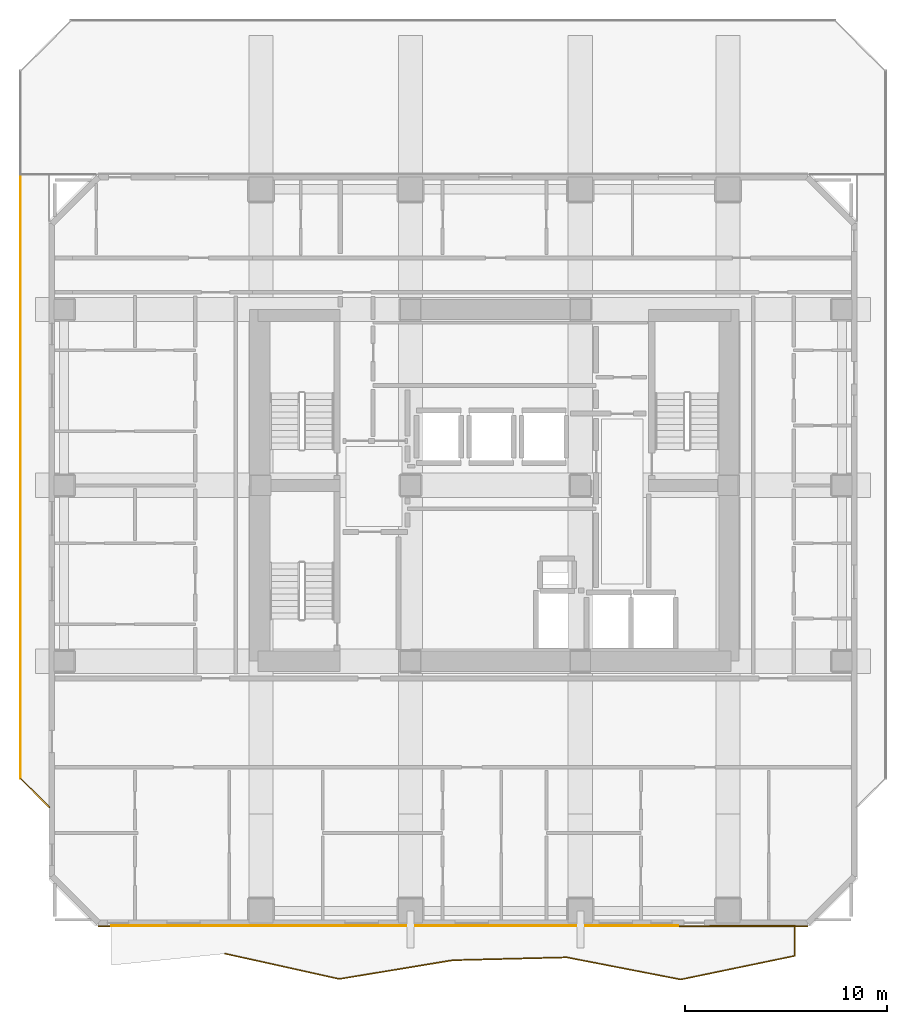
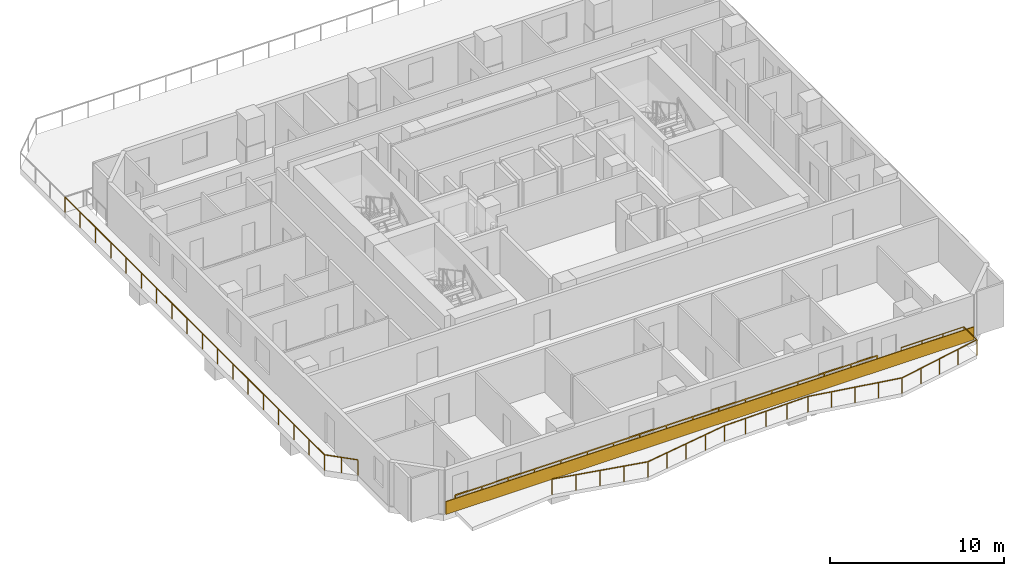
# One storey, part 8 of 11: 4 railings, 1 covering.
"""IFC4 building model written with IfcOpenShell, lengths in metres."""

from ifc_helpers import new_model, si_unit, direction, frame, frame_2d, origin, origin_2d, place, context, subcontext, project, spatial, rectangle, extrude, material, layer, layer_set, type_object, element, save


model = new_model("IFC4")

# Units and contexts
model_context = context("Model", 3, precision=1e-05, world=origin(), true_north=direction((0.0, 1.0)))
body_context = subcontext(model_context, "Body", "Model", "MODEL_VIEW")
ifc_project = project(units=[si_unit("LENGTHUNIT", "METRE"), si_unit("AREAUNIT", "SQUARE_METRE"), si_unit("VOLUMEUNIT", "CUBIC_METRE"), si_unit("PLANEANGLEUNIT", "RADIAN"), si_unit("MASSUNIT", "GRAM", prefix="KILO")], contexts=[model_context])

# Site, building, storey
site_placement = place(None, origin())
site = spatial("IfcSite", under=ifc_project, at=site_placement, CompositionType="ELEMENT")
building_placement = place(site_placement, origin())
building = spatial("IfcBuilding", under=site, at=building_placement, Name="Solanera Arch Residences", CompositionType="ELEMENT")
storey_placement = place(building_placement, frame((0.0, 0.0, 106.080078125)))
storey = spatial("IfcBuildingStorey", under=building, at=storey_placement, Name="L30", CompositionType="ELEMENT", Elevation=106.080078125)

# Railings
ifc_material_1 = material(Name="Steel S355 (ASTM A992 / A572 Grade 50)", Category="steel")
railing_type = type_object("IfcRailingType", Name="Balustrade Railing BL-1100", PredefinedType="BALUSTRADE", material=ifc_material_1)
railing_1_placement = place(storey_placement, frame((11.633056640625, 7.529052734375, 0.0)))
element("IfcRailing", 1, at=railing_1_placement, inside=storey, type_object=railing_type, Name="L30 S Balcony Balustrade 1", PredefinedType="BALUSTRADE", context=body_context, shape_type="SweptSolid", body=[
    extrude(rectangle(XDim=0.048095703125, YDim=0.048095703125, at=origin_2d()), frame((0.0, 0.0, 1.09619140625), z_axis=(0.976260663487, -0.216598977209, 0.0), x_axis=(0.216598977209, 0.976260663487, 0.0)), (0.0, 0.0, 1.0), 5.77099609375),
    extrude(rectangle(XDim=0.048095703125, YDim=0.048095703125, at=origin_2d()), frame((5.634033203125, -1.25, 1.09619140625), z_axis=(0.98672707657, 0.16238742674, 0.0), x_axis=(-0.16238742674, 0.98672707657, 0.0)), (0.0, 0.0, 1.0), 5.70849609375),
    extrude(rectangle(XDim=0.048095703125, YDim=0.048095703125, at=origin_2d()), frame((11.266845703125, -0.322998046875, 1.09619140625), z_axis=(0.999687456941, 0.024999768676, 0.0), x_axis=(-0.024999768676, 0.999687456941, 0.0)), (0.0, 0.0, 1.0), 5.634765625),
    extrude(rectangle(XDim=0.048095703125, YDim=0.048095703125, at=origin_2d()), frame((16.89990234375, -0.18212890625, 1.09619140625), z_axis=(0.981632874854, -0.190779713296, 0.0), x_axis=(0.190779713296, 0.981632874854, 0.0)), (0.0, 0.0, 1.0), 5.739501953125),
    extrude(rectangle(XDim=0.048095703125, YDim=0.048095703125, at=origin_2d()), frame((22.533935546875, -1.277099609375, 1.09619140625), z_axis=(0.979140050425, 0.20318651937, 0.0), x_axis=(-0.20318651937, 0.979140050425, 0.0)), (0.0, 0.0, 1.0), 5.753173828125),
    extrude(rectangle(XDim=0.048095703125, YDim=0.048095703125, at=origin_2d()), frame((28.1669921875, -0.108154296875, 1.09619140625), z_axis=(0.0, 1.0, 0.0), x_axis=(-1.0, 0.0, 0.0)), (0.0, 0.0, 1.0), 1.4990234375),
    extrude(rectangle(XDim=0.048095703125, YDim=0.048095703125, at=origin_2d()), frame((28.1669921875, 1.390869140625, 1.09619140625), z_axis=(-1.0, 0.0, 0.0), x_axis=(0.0, -1.0, 0.0)), (0.0, 0.0, 1.0), 4.1689453125),
    extrude(rectangle(XDim=0.0419921875, YDim=0.0419921875, at=origin_2d()), origin(), (0.0, 0.0, 1.0), 1.072021484375),
    extrude(rectangle(XDim=0.0419921875, YDim=0.0419921875, at=origin_2d()), frame((1.408447265625, -0.3125, 0.0)), (0.0, 0.0, 1.0), 1.072021484375),
    extrude(rectangle(XDim=0.0419921875, YDim=0.0419921875, at=origin_2d()), frame((2.81689453125, -0.625, 0.0)), (0.0, 0.0, 1.0), 1.072021484375),
    extrude(rectangle(XDim=0.0419921875, YDim=0.0419921875, at=origin_2d()), frame((4.2255859375, -0.9375, 0.0)), (0.0, 0.0, 1.0), 1.072021484375),
    extrude(rectangle(XDim=0.0419921875, YDim=0.0419921875, at=origin_2d()), frame((5.634033203125, -1.25, 0.0)), (0.0, 0.0, 1.0), 1.072021484375),
    extrude(rectangle(XDim=0.0419921875, YDim=0.0419921875, at=origin_2d()), frame((7.042236328125, -1.018310546875, 0.0)), (0.0, 0.0, 1.0), 1.072021484375),
    extrude(rectangle(XDim=0.0419921875, YDim=0.0419921875, at=origin_2d()), frame((8.450439453125, -0.78662109375, 0.0)), (0.0, 0.0, 1.0), 1.072021484375),
    extrude(rectangle(XDim=0.0419921875, YDim=0.0419921875, at=origin_2d()), frame((9.858642578125, -0.5546875, 0.0)), (0.0, 0.0, 1.0), 1.072021484375),
    extrude(rectangle(XDim=0.0419921875, YDim=0.0419921875, at=origin_2d()), frame((11.266845703125, -0.322998046875, 0.0)), (0.0, 0.0, 1.0), 1.072021484375),
    extrude(rectangle(XDim=0.0419921875, YDim=0.0419921875, at=origin_2d()), frame((12.675048828125, -0.287841796875, 0.0)), (0.0, 0.0, 1.0), 1.072021484375),
    extrude(rectangle(XDim=0.0419921875, YDim=0.0419921875, at=origin_2d()), frame((14.08349609375, -0.25244140625, 0.0)), (0.0, 0.0, 1.0), 1.072021484375),
    extrude(rectangle(XDim=0.0419921875, YDim=0.0419921875, at=origin_2d()), frame((15.49169921875, -0.21728515625, 0.0)), (0.0, 0.0, 1.0), 1.072021484375),
    extrude(rectangle(XDim=0.0419921875, YDim=0.0419921875, at=origin_2d()), frame((16.89990234375, -0.18212890625, 0.0)), (0.0, 0.0, 1.0), 1.072021484375),
    extrude(rectangle(XDim=0.0419921875, YDim=0.0419921875, at=origin_2d()), frame((18.308349609375, -0.455810546875, 0.0)), (0.0, 0.0, 1.0), 1.072021484375),
    extrude(rectangle(XDim=0.0419921875, YDim=0.0419921875, at=origin_2d()), frame((19.716796875, -0.7294921875, 0.0)), (0.0, 0.0, 1.0), 1.072021484375),
    extrude(rectangle(XDim=0.0419921875, YDim=0.0419921875, at=origin_2d()), frame((21.12548828125, -1.00341796875, 0.0)), (0.0, 0.0, 1.0), 1.072021484375),
    extrude(rectangle(XDim=0.0419921875, YDim=0.0419921875, at=origin_2d()), frame((22.533935546875, -1.277099609375, 0.0)), (0.0, 0.0, 1.0), 1.072021484375),
    extrude(rectangle(XDim=0.0419921875, YDim=0.0419921875, at=origin_2d()), frame((23.942138671875, -0.98486328125, 0.0)), (0.0, 0.0, 1.0), 1.072021484375),
    extrude(rectangle(XDim=0.0419921875, YDim=0.0419921875, at=origin_2d()), frame((25.3505859375, -0.692626953125, 0.0)), (0.0, 0.0, 1.0), 1.072021484375),
    extrude(rectangle(XDim=0.0419921875, YDim=0.0419921875, at=origin_2d()), frame((26.7587890625, -0.400390625, 0.0)), (0.0, 0.0, 1.0), 1.072021484375),
    extrude(rectangle(XDim=0.0419921875, YDim=0.0419921875, at=origin_2d()), frame((28.1669921875, -0.108154296875, 0.0)), (0.0, 0.0, 1.0), 1.072021484375),
    extrude(rectangle(XDim=0.0419921875, YDim=0.0419921875, at=origin_2d()), frame((28.1669921875, 1.390869140625, 0.0)), (0.0, 0.0, 1.0), 1.072021484375),
    extrude(rectangle(XDim=0.0419921875, YDim=0.0419921875, at=origin_2d()), frame((26.77734375, 1.390869140625, 0.0)), (0.0, 0.0, 1.0), 1.072021484375),
    extrude(rectangle(XDim=0.0419921875, YDim=0.0419921875, at=origin_2d()), frame((25.3876953125, 1.390869140625, 0.0)), (0.0, 0.0, 1.0), 1.072021484375),
    extrude(rectangle(XDim=0.0419921875, YDim=0.0419921875, at=origin_2d()), frame((23.998046875, 1.390869140625, 0.0)), (0.0, 0.0, 1.0), 1.072021484375),
])
railing_2_placement = place(storey_placement, frame((34.031005859375, 8.919921875, 0.0)))
element("IfcRailing", 2, at=railing_2_placement, inside=storey, type_object=railing_type, Name="L30 S Balcony Balustrade 2", PredefinedType="BALUSTRADE", context=body_context, shape_type="SweptSolid", body=[
    extrude(rectangle(XDim=0.048095703125, YDim=0.048095703125, at=origin_2d()), frame((0.0, 0.0, 1.09619140625), z_axis=(-1.0, 0.0, 0.0), x_axis=(0.0, -1.0, 0.0)), (0.0, 0.0, 1.0), 28.031005859375),
    extrude(rectangle(XDim=0.0419921875, YDim=0.0419921875, at=origin_2d()), origin(), (0.0, 0.0, 1.0), 1.072021484375),
    extrude(rectangle(XDim=0.0419921875, YDim=0.0419921875, at=origin_2d()), frame((-1.751953125, 0.0, 0.0)), (0.0, 0.0, 1.0), 1.072021484375),
    extrude(rectangle(XDim=0.0419921875, YDim=0.0419921875, at=origin_2d()), frame((-3.50390625, 0.0, 0.0)), (0.0, 0.0, 1.0), 1.072021484375),
    extrude(rectangle(XDim=0.0419921875, YDim=0.0419921875, at=origin_2d()), frame((-5.255859375, 0.0, 0.0)), (0.0, 0.0, 1.0), 1.072021484375),
    extrude(rectangle(XDim=0.0419921875, YDim=0.0419921875, at=origin_2d()), frame((-7.0078125, 0.0, 0.0)), (0.0, 0.0, 1.0), 1.072021484375),
    extrude(rectangle(XDim=0.0419921875, YDim=0.0419921875, at=origin_2d()), frame((-8.759765625, 0.0, 0.0)), (0.0, 0.0, 1.0), 1.072021484375),
    extrude(rectangle(XDim=0.0419921875, YDim=0.0419921875, at=origin_2d()), frame((-10.51171875, 0.0, 0.0)), (0.0, 0.0, 1.0), 1.072021484375),
    extrude(rectangle(XDim=0.0419921875, YDim=0.0419921875, at=origin_2d()), frame((-12.263671875, 0.0, 0.0)), (0.0, 0.0, 1.0), 1.072021484375),
    extrude(rectangle(XDim=0.0419921875, YDim=0.0419921875, at=origin_2d()), frame((-14.015625, 0.0, 0.0)), (0.0, 0.0, 1.0), 1.072021484375),
    extrude(rectangle(XDim=0.0419921875, YDim=0.0419921875, at=origin_2d()), frame((-15.767333984375, 0.0, 0.0)), (0.0, 0.0, 1.0), 1.072021484375),
    extrude(rectangle(XDim=0.0419921875, YDim=0.0419921875, at=origin_2d()), frame((-17.519287109375, 0.0, 0.0)), (0.0, 0.0, 1.0), 1.072021484375),
    extrude(rectangle(XDim=0.0419921875, YDim=0.0419921875, at=origin_2d()), frame((-19.271240234375, 0.0, 0.0)), (0.0, 0.0, 1.0), 1.072021484375),
    extrude(rectangle(XDim=0.0419921875, YDim=0.0419921875, at=origin_2d()), frame((-21.023193359375, 0.0, 0.0)), (0.0, 0.0, 1.0), 1.072021484375),
    extrude(rectangle(XDim=0.0419921875, YDim=0.0419921875, at=origin_2d()), frame((-22.775146484375, 0.0, 0.0)), (0.0, 0.0, 1.0), 1.072021484375),
    extrude(rectangle(XDim=0.0419921875, YDim=0.0419921875, at=origin_2d()), frame((-24.527099609375, 0.0, 0.0)), (0.0, 0.0, 1.0), 1.072021484375),
    extrude(rectangle(XDim=0.0419921875, YDim=0.0419921875, at=origin_2d()), frame((-26.279052734375, 0.0, 0.0)), (0.0, 0.0, 1.0), 1.072021484375),
    extrude(rectangle(XDim=0.0419921875, YDim=0.0419921875, at=origin_2d()), frame((-28.031005859375, 0.0, 0.0)), (0.0, 0.0, 1.0), 1.072021484375),
])
railing_3_placement = place(storey_placement, frame((1.5, 16.199951171875, 0.0)))
element("IfcRailing", 3, at=railing_3_placement, inside=storey, type_object=railing_type, Name="L30 Sky Terrace Guardrail 1", PredefinedType="BALUSTRADE", context=body_context, shape_type="SweptSolid", body=[
    extrude(rectangle(XDim=0.048095703125, YDim=0.048095703125, at=origin_2d()), frame((0.0, 0.0, 1.09619140625), z_axis=(0.707106781187, -0.707106781187, 0.0), x_axis=(0.707106781187, 0.707106781187, 0.0)), (0.0, 0.0, 1.0), 2.008056640625),
    extrude(rectangle(XDim=0.0419921875, YDim=0.0419921875, at=origin_2d()), origin(), (0.0, 0.0, 1.0), 1.072021484375),
    extrude(rectangle(XDim=0.0419921875, YDim=0.0419921875, at=origin_2d()), frame((0.7099609375, -0.7099609375, 0.0)), (0.0, 0.0, 1.0), 1.072021484375),
    extrude(rectangle(XDim=0.0419921875, YDim=0.0419921875, at=origin_2d()), frame((1.419921875, -1.419921875, 0.0)), (0.0, 0.0, 1.0), 1.072021484375),
])
railing_4_placement = place(storey_placement, frame((1.5, 46.080078125, 0.0)))
element("IfcRailing", 4, at=railing_4_placement, inside=storey, type_object=railing_type, Name="L30 Sky Terrace Guardrail 1", PredefinedType="BALUSTRADE", context=body_context, shape_type="SweptSolid", body=[
    extrude(rectangle(XDim=0.048095703125, YDim=0.048095703125, at=origin_2d()), frame((0.0, 0.0, 1.09619140625), z_axis=(0.0, -1.0, 0.0), x_axis=(1.0, 0.0, 0.0)), (0.0, 0.0, 1.0), 29.880126953125),
    extrude(rectangle(XDim=0.0419921875, YDim=0.0419921875, at=origin_2d()), origin(), (0.0, 0.0, 1.0), 1.072021484375),
    extrude(rectangle(XDim=0.0419921875, YDim=0.0419921875, at=origin_2d()), frame((0.0, -1.757568359375, 0.0)), (0.0, 0.0, 1.0), 1.072021484375),
    extrude(rectangle(XDim=0.0419921875, YDim=0.0419921875, at=origin_2d()), frame((0.0, -3.515380859375, 0.0)), (0.0, 0.0, 1.0), 1.072021484375),
    extrude(rectangle(XDim=0.0419921875, YDim=0.0419921875, at=origin_2d()), frame((0.0, -5.27294921875, 0.0)), (0.0, 0.0, 1.0), 1.072021484375),
    extrude(rectangle(XDim=0.0419921875, YDim=0.0419921875, at=origin_2d()), frame((0.0, -7.030517578125, 0.0)), (0.0, 0.0, 1.0), 1.072021484375),
    extrude(rectangle(XDim=0.0419921875, YDim=0.0419921875, at=origin_2d()), frame((0.0, -8.788330078125, 0.0)), (0.0, 0.0, 1.0), 1.072021484375),
    extrude(rectangle(XDim=0.0419921875, YDim=0.0419921875, at=origin_2d()), frame((0.0, -10.5458984375, 0.0)), (0.0, 0.0, 1.0), 1.072021484375),
    extrude(rectangle(XDim=0.0419921875, YDim=0.0419921875, at=origin_2d()), frame((0.0, -12.303466796875, 0.0)), (0.0, 0.0, 1.0), 1.072021484375),
    extrude(rectangle(XDim=0.0419921875, YDim=0.0419921875, at=origin_2d()), frame((0.0, -14.061279296875, 0.0)), (0.0, 0.0, 1.0), 1.072021484375),
    extrude(rectangle(XDim=0.0419921875, YDim=0.0419921875, at=origin_2d()), frame((0.0, -15.81884765625, 0.0)), (0.0, 0.0, 1.0), 1.072021484375),
    extrude(rectangle(XDim=0.0419921875, YDim=0.0419921875, at=origin_2d()), frame((0.0, -17.57666015625, 0.0)), (0.0, 0.0, 1.0), 1.072021484375),
    extrude(rectangle(XDim=0.0419921875, YDim=0.0419921875, at=origin_2d()), frame((0.0, -19.334228515625, 0.0)), (0.0, 0.0, 1.0), 1.072021484375),
    extrude(rectangle(XDim=0.0419921875, YDim=0.0419921875, at=origin_2d()), frame((0.0, -21.091796875, 0.0)), (0.0, 0.0, 1.0), 1.072021484375),
    extrude(rectangle(XDim=0.0419921875, YDim=0.0419921875, at=origin_2d()), frame((0.0, -22.849609375, 0.0)), (0.0, 0.0, 1.0), 1.072021484375),
    extrude(rectangle(XDim=0.0419921875, YDim=0.0419921875, at=origin_2d()), frame((0.0, -24.607177734375, 0.0)), (0.0, 0.0, 1.0), 1.072021484375),
    extrude(rectangle(XDim=0.0419921875, YDim=0.0419921875, at=origin_2d()), frame((0.0, -26.36474609375, 0.0)), (0.0, 0.0, 1.0), 1.072021484375),
    extrude(rectangle(XDim=0.0419921875, YDim=0.0419921875, at=origin_2d()), frame((0.0, -28.12255859375, 0.0)), (0.0, 0.0, 1.0), 1.072021484375),
    extrude(rectangle(XDim=0.0419921875, YDim=0.0419921875, at=origin_2d()), frame((0.0, -29.880126953125, 0.0)), (0.0, 0.0, 1.0), 1.072021484375),
])

# Covering
ifc_material_2 = material(Name="Philippine Adobe Travertine Cladding", Category="masonry")
ifc_layer = layer(ifc_material_2, 0.06005859375)
ifc_layer_set = layer_set([ifc_layer], Name="Philippine Adobe Travertine Cladding")
covering_type = type_object("IfcCoveringType", Name="Precast Pier Stone Cladding CLD-60", PredefinedType="CLADDING", material=ifc_layer_set)
covering_placement = place(storey_placement, frame((40.445068359375, 8.885009765625, 0.0), z_axis=(0.0, 0.0, 1.0), x_axis=(-1.0, 0.0, 0.0)))
element("IfcCovering", 5, at=covering_placement, inside=storey, type_object=covering_type, Name="L30 S Precast Spandrel Stone Band", PredefinedType="CLADDING", context=body_context, shape_type="SweptSolid", body=[
    extrude(rectangle(XDim=35.090087890625, YDim=0.06005859375, at=frame_2d((17.544921875, 0.0))), origin(), (0.0, 0.0, 1.0), 0.89990234375),
])

save(model, "model.ifc")
